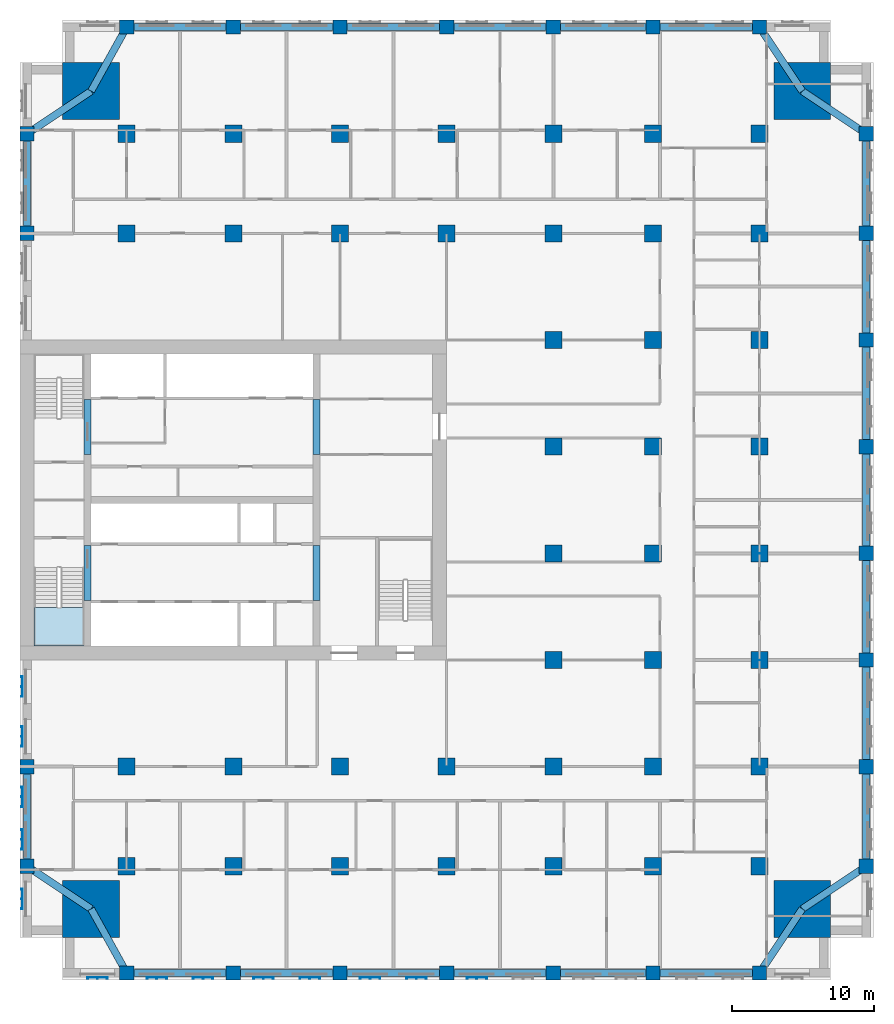
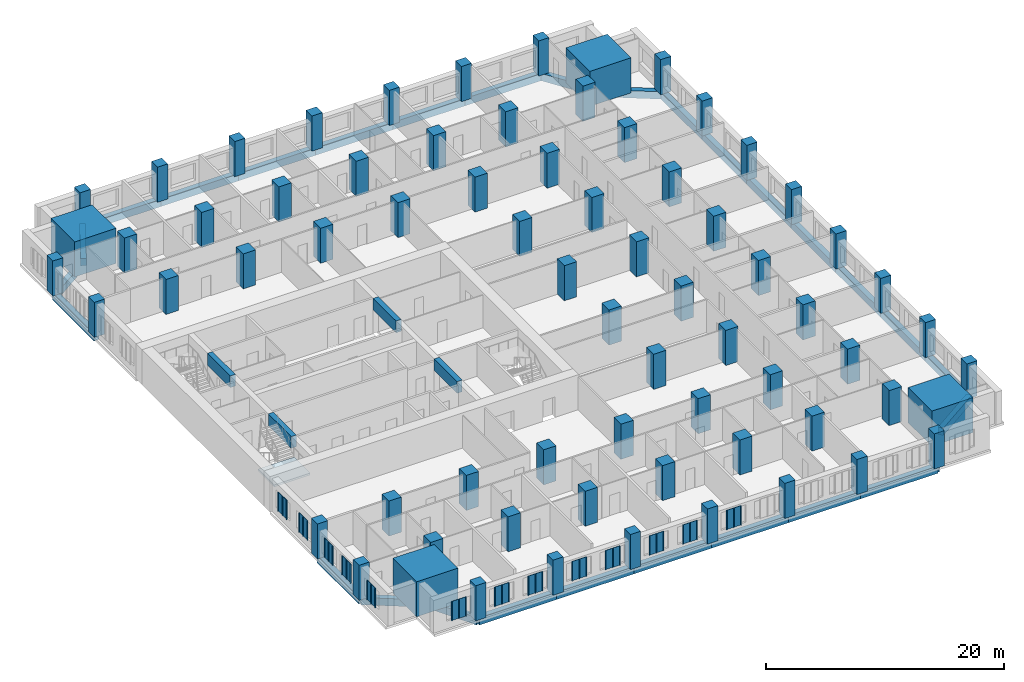
# One storey, part 1 of 14: 70 columns, 33 beams, 13 plates, 1 slab, 1 element without a shape of its own.
"""IFC4 building model written with IfcOpenShell, lengths in metres."""

from ifc_helpers import new_model, si_unit, direction, frame, origin, origin_2d, place, context, subcontext, project, spatial, polyline, rectangle, outline, extrude, material, layer, layer_set, material_profile, profile_set, type_object, element, aggregate, save


model = new_model("IFC4")

# Units and contexts
model_context = context("Model", 3, precision=1e-05, world=origin(), true_north=direction((0.0, 1.0)))
body_context = subcontext(model_context, "Body", "Model", "MODEL_VIEW")
ifc_project = project(units=[si_unit("LENGTHUNIT", "METRE"), si_unit("AREAUNIT", "SQUARE_METRE"), si_unit("VOLUMEUNIT", "CUBIC_METRE"), si_unit("PLANEANGLEUNIT", "RADIAN"), si_unit("MASSUNIT", "GRAM", prefix="KILO")], contexts=[model_context])

# Site, building, storey
site_placement = place(None, origin())
site = spatial("IfcSite", under=ifc_project, at=site_placement, CompositionType="ELEMENT")
building_placement = place(site_placement, origin())
building = spatial("IfcBuilding", under=site, at=building_placement, Name="Tamorin Gate", CompositionType="ELEMENT")
storey_placement = place(building_placement, frame((0.0, 0.0, 37.60009765625)))
storey = spatial("IfcBuildingStorey", under=building, at=storey_placement, Name="L07", CompositionType="ELEMENT", Elevation=37.60009765625)

# Columns
ifc_material_1 = material(Name="Concrete C80/95", Category="concrete")
ifc_material_profile_1 = material_profile(ifc_material_1, rectangle(XDim=1.0, YDim=1.0, at=origin_2d()), Name="RC 1000x1000")
ifc_profile_set_1 = profile_set([ifc_material_profile_1], Name="Concrete C80/95")
column_type_1 = type_object("IfcColumnType", Name="RC column 1000x1000 C80/95", PredefinedType="COLUMN", material=ifc_profile_set_1)
for number, where, z_axis, x_axis, name in (
    (1, (30.5, 45.5, 0.0), (0.0, 0.0, 1.0), (1.0, 0.0, 0.0), "Ring column L07"),
    (2, (30.5, 52.5, 0.0), (0.0, 0.0, 1.0), (1.0, 0.0, 0.0), "Ring column L07"),
    (3, (30.5, 90.0, 0.0), (0.0, 0.0, 1.0), (1.0, 0.0, 0.0), "Ring column L07"),
    (4, (30.5, 97.0, 0.0), (0.0, 0.0, 1.0), (1.0, 0.0, 0.0), "Ring column L07"),
    (5, (37.5, 38.0, 0.0), (0.0, 0.0, 1.0), (1.0, 0.0, 0.0), "Ring column L07"),
    (6, (37.5, 104.5, 0.0), (0.0, 0.0, 1.0), (1.0, 0.0, 0.0), "Ring column L07"),
    (7, (45.0, 38.0, 0.0), (0.0, 0.0, 1.0), (1.0, 0.0, 0.0), "Ring column L07"),
    (8, (45.0, 104.5, 0.0), (0.0, 0.0, 1.0), (1.0, 0.0, 0.0), "Ring column L07"),
    (9, (52.5, 38.0, 0.0), (0.0, 0.0, 1.0), (1.0, 0.0, 0.0), "Ring column L07"),
    (10, (52.5, 104.5, 0.0), (0.0, 0.0, 1.0), (1.0, 0.0, 0.0), "Ring column L07"),
    (11, (60.0, 38.0, 0.0), (0.0, 0.0, 1.0), (1.0, 0.0, 0.0), "Ring column L07"),
    (12, (60.0, 104.5, 0.0), (0.0, 0.0, 1.0), (1.0, 0.0, 0.0), "Ring column L07"),
    (13, (67.5, 38.0, 0.0), (0.0, 0.0, 1.0), (1.0, 0.0, 0.0), "Ring column L07"),
    (14, (67.5, 104.5, 0.0), (0.0, 0.0, 1.0), (1.0, 0.0, 0.0), "Ring column L07"),
    (15, (74.5, 38.0, 0.0), (0.0, 0.0, 1.0), (1.0, 0.0, 0.0), "Ring column L07"),
    (16, (74.5, 104.5, 0.0), (0.0, 0.0, 1.0), (1.0, 0.0, 0.0), "Ring column L07"),
    (17, (82.0, 38.0, 0.0), (0.0, 0.0, 1.0), (1.0, 0.0, 0.0), "Ring column L07"),
    (18, (82.0, 104.5, 0.0), (0.0, 0.0, 1.0), (1.0, 0.0, 0.0), "Ring column L07"),
    (19, (89.5, 45.5, 0.0), (0.0, 0.0, 1.0), (1.0, 0.0, 0.0), "Ring column L07"),
    (20, (89.5, 52.5, 0.0), (0.0, 0.0, 1.0), (1.0, 0.0, 0.0), "Ring column L07"),
    (21, (89.5, 60.0, 0.0), (0.0, 0.0, 1.0), (1.0, 0.0, 0.0), "Ring column L07"),
    (22, (89.5, 67.5, 0.0), (0.0, 0.0, 1.0), (1.0, 0.0, 0.0), "Ring column L07"),
    (23, (89.5, 75.0, 0.0), (0.0, 0.0, 1.0), (1.0, 0.0, 0.0), "Ring column L07"),
    (24, (89.5, 82.5, 0.0), (0.0, 0.0, 1.0), (1.0, 0.0, 0.0), "Ring column L07"),
    (25, (89.5, 90.0, 0.0), (0.0, 0.0, 1.0), (1.0, 0.0, 0.0), "Ring column L07"),
    (26, (89.5, 97.0, 0.0), (0.0, 0.0, 1.0), (1.0, 0.0, 0.0), "Ring column L07"),
):
    element("IfcColumn", number, at=place(storey_placement, frame(where, z_axis=z_axis, x_axis=x_axis)), inside=storey, type_object=column_type_1, Name=name, PredefinedType="COLUMN", context=body_context, shape_type="SweptSolid", body=[
        extrude(rectangle(XDim=1.0, YDim=1.0, at=origin_2d()), origin(), (0.0, 0.0, 1.0), 3.599853515625),
    ])
ifc_material_profile_2 = material_profile(ifc_material_1, rectangle(XDim=1.199951171875, YDim=1.199951171875, at=origin_2d()), Name="RC 1200x1200")
ifc_profile_set_2 = profile_set([ifc_material_profile_2], Name="Concrete C80/95")
column_type_2 = type_object("IfcColumnType", Name="RC column 1200x1200 C80/95", PredefinedType="COLUMN", material=ifc_profile_set_2)
for number, where, z_axis, x_axis, name in (
    (27, (37.5, 45.5, 0.0), (0.0, 0.0, 1.0), (1.0, 0.0, 0.0), "Interior column L07"),
    (28, (37.5, 52.5, 0.0), (0.0, 0.0, 1.0), (1.0, 0.0, 0.0), "Interior column L07"),
    (29, (37.5, 90.0, 0.0), (0.0, 0.0, 1.0), (1.0, 0.0, 0.0), "Interior column L07"),
    (30, (37.5, 97.0, 0.0), (0.0, 0.0, 1.0), (1.0, 0.0, 0.0), "Interior column L07"),
    (31, (45.0, 45.5, 0.0), (0.0, 0.0, 1.0), (1.0, 0.0, 0.0), "Interior column L07"),
    (32, (45.0, 52.5, 0.0), (0.0, 0.0, 1.0), (1.0, 0.0, 0.0), "Interior column L07"),
    (33, (45.0, 90.0, 0.0), (0.0, 0.0, 1.0), (1.0, 0.0, 0.0), "Interior column L07"),
    (34, (45.0, 97.0, 0.0), (0.0, 0.0, 1.0), (1.0, 0.0, 0.0), "Interior column L07"),
    (35, (52.5, 45.5, 0.0), (0.0, 0.0, 1.0), (1.0, 0.0, 0.0), "Interior column L07"),
    (36, (52.5, 52.5, 0.0), (0.0, 0.0, 1.0), (1.0, 0.0, 0.0), "Interior column L07"),
    (37, (52.5, 90.0, 0.0), (0.0, 0.0, 1.0), (1.0, 0.0, 0.0), "Interior column L07"),
    (38, (52.5, 97.0, 0.0), (0.0, 0.0, 1.0), (1.0, 0.0, 0.0), "Interior column L07"),
    (39, (60.0, 45.5, 0.0), (0.0, 0.0, 1.0), (1.0, 0.0, 0.0), "Interior column L07"),
    (40, (60.0, 52.5, 0.0), (0.0, 0.0, 1.0), (1.0, 0.0, 0.0), "Interior column L07"),
    (41, (60.0, 90.0, 0.0), (0.0, 0.0, 1.0), (1.0, 0.0, 0.0), "Interior column L07"),
    (42, (60.0, 97.0, 0.0), (0.0, 0.0, 1.0), (1.0, 0.0, 0.0), "Interior column L07"),
    (43, (67.5, 45.5, 0.0), (0.0, 0.0, 1.0), (1.0, 0.0, 0.0), "Interior column L07"),
    (44, (67.5, 52.5, 0.0), (0.0, 0.0, 1.0), (1.0, 0.0, 0.0), "Interior column L07"),
    (45, (67.5, 60.0, 0.0), (0.0, 0.0, 1.0), (1.0, 0.0, 0.0), "Interior column L07"),
    (46, (67.5, 67.5, 0.0), (0.0, 0.0, 1.0), (1.0, 0.0, 0.0), "Interior column L07"),
    (47, (67.5, 75.0, 0.0), (0.0, 0.0, 1.0), (1.0, 0.0, 0.0), "Interior column L07"),
    (48, (67.5, 82.5, 0.0), (0.0, 0.0, 1.0), (1.0, 0.0, 0.0), "Interior column L07"),
    (49, (67.5, 90.0, 0.0), (0.0, 0.0, 1.0), (1.0, 0.0, 0.0), "Interior column L07"),
    (50, (67.5, 97.0, 0.0), (0.0, 0.0, 1.0), (1.0, 0.0, 0.0), "Interior column L07"),
    (51, (74.5, 45.5, 0.0), (0.0, 0.0, 1.0), (1.0, 0.0, 0.0), "Interior column L07"),
    (52, (74.5, 52.5, 0.0), (0.0, 0.0, 1.0), (1.0, 0.0, 0.0), "Interior column L07"),
    (53, (74.5, 60.0, 0.0), (0.0, 0.0, 1.0), (1.0, 0.0, 0.0), "Interior column L07"),
    (54, (74.5, 67.5, 0.0), (0.0, 0.0, 1.0), (1.0, 0.0, 0.0), "Interior column L07"),
    (55, (74.5, 75.0, 0.0), (0.0, 0.0, 1.0), (1.0, 0.0, 0.0), "Interior column L07"),
    (56, (74.5, 82.5, 0.0), (0.0, 0.0, 1.0), (1.0, 0.0, 0.0), "Interior column L07"),
    (57, (74.5, 90.0, 0.0), (0.0, 0.0, 1.0), (1.0, 0.0, 0.0), "Interior column L07"),
    (58, (74.5, 97.0, 0.0), (0.0, 0.0, 1.0), (1.0, 0.0, 0.0), "Interior column L07"),
    (59, (82.0, 45.5, 0.0), (0.0, 0.0, 1.0), (1.0, 0.0, 0.0), "Interior column L07"),
    (60, (82.0, 52.5, 0.0), (0.0, 0.0, 1.0), (1.0, 0.0, 0.0), "Interior column L07"),
    (61, (82.0, 60.0, 0.0), (0.0, 0.0, 1.0), (1.0, 0.0, 0.0), "Interior column L07"),
    (62, (82.0, 67.5, 0.0), (0.0, 0.0, 1.0), (1.0, 0.0, 0.0), "Interior column L07"),
    (63, (82.0, 75.0, 0.0), (0.0, 0.0, 1.0), (1.0, 0.0, 0.0), "Interior column L07"),
    (64, (82.0, 82.5, 0.0), (0.0, 0.0, 1.0), (1.0, 0.0, 0.0), "Interior column L07"),
    (65, (82.0, 90.0, 0.0), (0.0, 0.0, 1.0), (1.0, 0.0, 0.0), "Interior column L07"),
    (66, (82.0, 97.0, 0.0), (0.0, 0.0, 1.0), (1.0, 0.0, 0.0), "Interior column L07"),
):
    element("IfcColumn", number, at=place(storey_placement, frame(where, z_axis=z_axis, x_axis=x_axis)), inside=storey, type_object=column_type_2, Name=name, PredefinedType="COLUMN", context=body_context, shape_type="SweptSolid", body=[
        extrude(rectangle(XDim=1.199951171875, YDim=1.199951171875, at=origin_2d()), origin(), (0.0, 0.0, 1.0), 3.599853515625),
    ])
ifc_material_profile_3 = material_profile(ifc_material_1, rectangle(XDim=4.0, YDim=4.0, at=origin_2d()), Name="RC 4000x4000")
ifc_profile_set_3 = profile_set([ifc_material_profile_3], Name="Concrete C80/95")
column_type_3 = type_object("IfcColumnType", Name="RC column 4000x4000 C80/95", PredefinedType="COLUMN", material=ifc_profile_set_3)
for number, where, z_axis, x_axis, name in (
    (67, (35.0, 42.5, 0.0), (0.0, 0.0, 1.0), (1.0, 0.0, 0.0), "Mega column SW L07"),
    (68, (85.0, 42.5, 0.0), (0.0, 0.0, 1.0), (1.0, 0.0, 0.0), "Mega column SE L07"),
    (69, (35.0, 100.0, 0.0), (0.0, 0.0, 1.0), (1.0, 0.0, 0.0), "Mega column NW L07"),
    (70, (85.0, 100.0, 0.0), (0.0, 0.0, 1.0), (1.0, 0.0, 0.0), "Mega column NE L07"),
):
    element("IfcColumn", number, at=place(storey_placement, frame(where, z_axis=z_axis, x_axis=x_axis)), inside=storey, type_object=column_type_3, Name=name, PredefinedType="COLUMN", context=body_context, shape_type="SweptSolid", body=[
        extrude(rectangle(XDim=4.0, YDim=4.0, at=origin_2d()), origin(), (0.0, 0.0, 1.0), 3.599853515625),
    ])

# Beams
ifc_material_profile_4 = material_profile(ifc_material_1, rectangle(XDim=0.5, YDim=1.199951171875, at=origin_2d()), Name="RC 500x1200")
ifc_profile_set_4 = profile_set([ifc_material_profile_4], Name="Concrete C80/95")
beam_type_1 = type_object("IfcBeamType", Name="RC coupling beam 500x1200 C80/95", PredefinedType="BEAM", material=ifc_profile_set_4)
for number, where, z_axis, x_axis, name in (
    (71, (34.75, 64.199951171875, 3.0), (0.0, 1.0, 0.0), (-1.0, 0.0, 0.0), "Coupling beam L07"),
    (72, (34.75, 74.449951171875, 3.0), (0.0, 1.0, 0.0), (-1.0, 0.0, 0.0), "Coupling beam L07"),
    (73, (50.85009765625, 64.199951171875, 3.0), (0.0, 1.0, 0.0), (-1.0, 0.0, 0.0), "Coupling beam L07"),
    (74, (50.85009765625, 74.449951171875, 3.0), (0.0, 1.0, 0.0), (-1.0, 0.0, 0.0), "Coupling beam L07"),
):
    element("IfcBeam", number, at=place(storey_placement, frame(where, z_axis=z_axis, x_axis=x_axis)), inside=storey, type_object=beam_type_1, Name=name, PredefinedType="BEAM", context=body_context, shape_type="SweptSolid", body=[
        extrude(rectangle(XDim=0.5, YDim=1.199951171875, at=origin_2d()), origin(), (0.0, 0.0, 1.0), 3.85009765625),
    ])
ifc_material_2 = material(Name="Concrete C50/60", Category="concrete")
ifc_material_profile_5 = material_profile(ifc_material_2, rectangle(XDim=0.5, YDim=0.75, at=origin_2d()), Name="RC 500x750")
ifc_profile_set_5 = profile_set([ifc_material_profile_5], Name="Concrete C50/60")
beam_type_2 = type_object("IfcBeamType", Name="RC spandrel 500x750 C50/60", PredefinedType="BEAM", material=ifc_profile_set_5)
for number, where, z_axis, x_axis, name in (
    (75, (37.5, 38.0, -0.375), (1.0, 0.0, 0.0), (0.0, 1.0, 0.0), "Spandrel beam L07"),
    (76, (45.0, 38.0, -0.375), (1.0, 0.0, 0.0), (0.0, 1.0, 0.0), "Spandrel beam L07"),
    (77, (52.5, 38.0, -0.375), (1.0, 0.0, 0.0), (0.0, 1.0, 0.0), "Spandrel beam L07"),
    (78, (60.0, 38.0, -0.375), (1.0, 0.0, 0.0), (0.0, 1.0, 0.0), "Spandrel beam L07"),
):
    element("IfcBeam", number, at=place(storey_placement, frame(where, z_axis=z_axis, x_axis=x_axis)), inside=storey, type_object=beam_type_2, Name=name, PredefinedType="BEAM", context=body_context, shape_type="SweptSolid", body=[
        extrude(rectangle(XDim=0.5, YDim=0.75, at=origin_2d()), origin(), (0.0, 0.0, 1.0), 7.5),
    ])
beam_1_placement = place(storey_placement, frame((67.5, 38.0, -0.375), z_axis=(1.0, 0.0, 0.0), x_axis=(0.0, 1.0, 0.0)))
element("IfcBeam", 79, at=beam_1_placement, inside=storey, type_object=beam_type_2, Name="Spandrel beam L07", PredefinedType="BEAM", context=body_context, shape_type="SweptSolid", body=[
    extrude(rectangle(XDim=0.5, YDim=0.75, at=origin_2d()), origin(), (0.0, 0.0, 1.0), 7.0),
])
beam_2_placement = place(storey_placement, frame((74.5, 38.0, -0.375), z_axis=(1.0, 0.0, 0.0), x_axis=(0.0, 1.0, 0.0)))
element("IfcBeam", 80, at=beam_2_placement, inside=storey, type_object=beam_type_2, Name="Spandrel beam L07", PredefinedType="BEAM", context=body_context, shape_type="SweptSolid", body=[
    extrude(rectangle(XDim=0.5, YDim=0.75, at=origin_2d()), origin(), (0.0, 0.0, 1.0), 7.5),
])
beam_3_placement = place(storey_placement, frame((89.5, 45.5, -0.375), z_axis=(0.0, 1.0, 0.0), x_axis=(-1.0, 0.0, 0.0)))
element("IfcBeam", 81, at=beam_3_placement, inside=storey, type_object=beam_type_2, Name="Spandrel beam L07", PredefinedType="BEAM", context=body_context, shape_type="SweptSolid", body=[
    extrude(rectangle(XDim=0.5, YDim=0.75, at=origin_2d()), origin(), (0.0, 0.0, 1.0), 7.0),
])
for number, where, z_axis, x_axis, name in (
    (82, (89.5, 52.5, -0.375), (0.0, 1.0, 0.0), (-1.0, 0.0, 0.0), "Spandrel beam L07"),
    (83, (89.5, 60.0, -0.375), (0.0, 1.0, 0.0), (-1.0, 0.0, 0.0), "Spandrel beam L07"),
    (84, (89.5, 67.5, -0.375), (0.0, 1.0, 0.0), (-1.0, 0.0, 0.0), "Spandrel beam L07"),
    (85, (89.5, 75.0, -0.375), (0.0, 1.0, 0.0), (-1.0, 0.0, 0.0), "Spandrel beam L07"),
    (86, (89.5, 82.5, -0.375), (0.0, 1.0, 0.0), (-1.0, 0.0, 0.0), "Spandrel beam L07"),
):
    element("IfcBeam", number, at=place(storey_placement, frame(where, z_axis=z_axis, x_axis=x_axis)), inside=storey, type_object=beam_type_2, Name=name, PredefinedType="BEAM", context=body_context, shape_type="SweptSolid", body=[
        extrude(rectangle(XDim=0.5, YDim=0.75, at=origin_2d()), origin(), (0.0, 0.0, 1.0), 7.5),
    ])
beam_4_placement = place(storey_placement, frame((89.5, 90.0, -0.375), z_axis=(0.0, 1.0, 0.0), x_axis=(-1.0, 0.0, 0.0)))
element("IfcBeam", 87, at=beam_4_placement, inside=storey, type_object=beam_type_2, Name="Spandrel beam L07", PredefinedType="BEAM", context=body_context, shape_type="SweptSolid", body=[
    extrude(rectangle(XDim=0.5, YDim=0.75, at=origin_2d()), origin(), (0.0, 0.0, 1.0), 7.0),
])
beam_5_placement = place(storey_placement, frame((82.0, 104.5, -0.375), z_axis=(-1.0, 0.0, 0.0), x_axis=(0.0, -1.0, 0.0)))
element("IfcBeam", 88, at=beam_5_placement, inside=storey, type_object=beam_type_2, Name="Spandrel beam L07", PredefinedType="BEAM", context=body_context, shape_type="SweptSolid", body=[
    extrude(rectangle(XDim=0.5, YDim=0.75, at=origin_2d()), origin(), (0.0, 0.0, 1.0), 7.5),
])
beam_6_placement = place(storey_placement, frame((74.5, 104.5, -0.375), z_axis=(-1.0, 0.0, 0.0), x_axis=(0.0, -1.0, 0.0)))
element("IfcBeam", 89, at=beam_6_placement, inside=storey, type_object=beam_type_2, Name="Spandrel beam L07", PredefinedType="BEAM", context=body_context, shape_type="SweptSolid", body=[
    extrude(rectangle(XDim=0.5, YDim=0.75, at=origin_2d()), origin(), (0.0, 0.0, 1.0), 7.0),
])
for number, where, z_axis, x_axis, name in (
    (90, (67.5, 104.5, -0.375), (-1.0, 0.0, 0.0), (0.0, -1.0, 0.0), "Spandrel beam L07"),
    (91, (60.0, 104.5, -0.375), (-1.0, 0.0, 0.0), (0.0, -1.0, 0.0), "Spandrel beam L07"),
    (92, (52.5, 104.5, -0.375), (-1.0, 0.0, 0.0), (0.0, -1.0, 0.0), "Spandrel beam L07"),
    (93, (45.0, 104.5, -0.375), (-1.0, 0.0, 0.0), (0.0, -1.0, 0.0), "Spandrel beam L07"),
):
    element("IfcBeam", number, at=place(storey_placement, frame(where, z_axis=z_axis, x_axis=x_axis)), inside=storey, type_object=beam_type_2, Name=name, PredefinedType="BEAM", context=body_context, shape_type="SweptSolid", body=[
        extrude(rectangle(XDim=0.5, YDim=0.75, at=origin_2d()), origin(), (0.0, 0.0, 1.0), 7.5),
    ])
for number, where, z_axis, x_axis, name in (
    (94, (30.5, 97.0, -0.375), (0.0, -1.0, 0.0), (1.0, 0.0, 0.0), "Spandrel beam L07"),
    (95, (30.5, 52.5, -0.375), (0.0, -1.0, 0.0), (1.0, 0.0, 0.0), "Spandrel beam L07"),
):
    element("IfcBeam", number, at=place(storey_placement, frame(where, z_axis=z_axis, x_axis=x_axis)), inside=storey, type_object=beam_type_2, Name=name, PredefinedType="BEAM", context=body_context, shape_type="SweptSolid", body=[
        extrude(rectangle(XDim=0.5, YDim=0.75, at=origin_2d()), origin(), (0.0, 0.0, 1.0), 7.0),
    ])
beam_7_placement = place(storey_placement, frame((35.0, 42.5, -0.375), z_axis=(0.485642931179, -0.874157276122, 0.0), x_axis=(0.874157276122, 0.485642931179, 0.0)))
element("IfcBeam", 96, at=beam_7_placement, inside=storey, type_object=beam_type_2, Name="Corner tie beam L07", PredefinedType="BEAM", context=body_context, shape_type="SweptSolid", body=[
    extrude(rectangle(XDim=0.5, YDim=0.75, at=origin_2d()), origin(), (0.0, 0.0, 1.0), 5.147705078125),
])
for number, where, z_axis, x_axis, name in (
    (97, (35.0, 42.5, -0.375), (-0.832050294338, 0.554700196225, 0.0), (-0.554700196225, -0.832050294338, 0.0), "Corner tie beam L07"),
    (98, (85.0, 42.5, -0.375), (-0.554700196225, -0.832050294338, 0.0), (0.832050294338, -0.554700196225, 0.0), "Corner tie beam L07"),
    (99, (85.0, 42.5, -0.375), (0.832050294338, 0.554700196225, 0.0), (-0.554700196225, 0.832050294338, 0.0), "Corner tie beam L07"),
):
    element("IfcBeam", number, at=place(storey_placement, frame(where, z_axis=z_axis, x_axis=x_axis)), inside=storey, type_object=beam_type_2, Name=name, PredefinedType="BEAM", context=body_context, shape_type="SweptSolid", body=[
        extrude(rectangle(XDim=0.5, YDim=0.75, at=origin_2d()), origin(), (0.0, 0.0, 1.0), 5.408447265625),
    ])
beam_8_placement = place(storey_placement, frame((35.0, 100.0, -0.375), z_axis=(0.485642931179, 0.874157276122, 0.0), x_axis=(-0.874157276122, 0.485642931179, 0.0)))
element("IfcBeam", 100, at=beam_8_placement, inside=storey, type_object=beam_type_2, Name="Corner tie beam L07", PredefinedType="BEAM", context=body_context, shape_type="SweptSolid", body=[
    extrude(rectangle(XDim=0.5, YDim=0.75, at=origin_2d()), origin(), (0.0, 0.0, 1.0), 5.147705078125),
])
for number, where, z_axis, x_axis, name in (
    (101, (35.0, 100.0, -0.375), (-0.832050294338, -0.554700196225, 0.0), (0.554700196225, -0.832050294338, 0.0), "Corner tie beam L07"),
    (102, (85.0, 100.0, -0.375), (-0.554700196225, 0.832050294338, 0.0), (-0.832050294338, -0.554700196225, 0.0), "Corner tie beam L07"),
    (103, (85.0, 100.0, -0.375), (0.832050294338, -0.554700196225, 0.0), (0.554700196225, 0.832050294338, 0.0), "Corner tie beam L07"),
):
    element("IfcBeam", number, at=place(storey_placement, frame(where, z_axis=z_axis, x_axis=x_axis)), inside=storey, type_object=beam_type_2, Name=name, PredefinedType="BEAM", context=body_context, shape_type="SweptSolid", body=[
        extrude(rectangle(XDim=0.5, YDim=0.75, at=origin_2d()), origin(), (0.0, 0.0, 1.0), 5.408447265625),
    ])

# Stair, slab
ifc_material_3 = material(Name="Concrete C40/50", Category="concrete")
stair_type = type_object("IfcStairType", Name="Exit stair", PredefinedType="HALF_TURN_STAIR", material=ifc_material_3)
stair_placement = place(storey_placement, origin())
stair = element("IfcStair", 104, at=stair_placement, inside=storey, type_object=stair_type, Name="L07 stair ST1", PredefinedType="HALF_TURN_STAIR")
ifc_layer_1 = layer(ifc_material_3, 0.199951171875)
ifc_layer_set_1 = layer_set([ifc_layer_1], Name="Exit stair landing 200")
slab_type = type_object("IfcSlabType", Name="Exit stair landing 200", PredefinedType="LANDING", material=ifc_layer_set_1)
slab_placement = place(storey_placement, frame((0.0, 0.0, 1.599853515625)))
slab = element("IfcSlab", 105, at=slab_placement, type_object=slab_type, Name="ST1 landing 1", PredefinedType="LANDING", context=body_context, shape_type="SweptSolid", body=[
    extrude(outline(polyline([(31.0, 63.699951171875), (31.0, 61.0), (34.5, 61.0), (34.5, 63.699951171875), (31.0, 63.699951171875)])), origin(), (0.0, 0.0, 1.0), 0.199951171875),
])
aggregate(stair, [slab])

# Plates
ifc_material_4 = material(Name="Perforated pale aluminium sheet", Category="aluminium")
ifc_layer_2 = layer(ifc_material_4, 0.0400390625)
ifc_layer_set_2 = layer_set([ifc_layer_2], Name="Pale metal solar screen 1440")
plate_type = type_object("IfcPlateType", Name="Pale metal solar screen 1440", PredefinedType="SHEET", material=ifc_layer_set_2)
plate_1_placement = place(storey_placement, frame((0.0, 0.0, 0.7099609375)))
element("IfcPlate", 106, at=plate_1_placement, inside=storey, type_object=plate_type, Name="Perforated solar screen", PredefinedType="SHEET", context=body_context, shape_type="SweptSolid", body=[
    extrude(outline(polyline([(34.72998046875, 37.659912109375), (34.72998046875, 37.699951171875), (34.7900390625, 37.699951171875), (35.419921875, 37.699951171875), (35.47998046875, 37.699951171875), (36.110107421875, 37.699951171875), (36.169921875, 37.699951171875), (36.169921875, 37.659912109375), (36.169921875, 37.60009765625), (36.110107421875, 37.60009765625), (36.110107421875, 37.659912109375), (35.47998046875, 37.659912109375), (35.47998046875, 37.60009765625), (35.419921875, 37.60009765625), (35.419921875, 37.659912109375), (34.7900390625, 37.659912109375), (34.7900390625, 37.60009765625), (34.72998046875, 37.60009765625), (34.72998046875, 37.659912109375)])), origin(), (0.0, 0.0, 1.0), 1.97998046875),
])
plate_2_placement = place(storey_placement, frame((0.0, 0.0, 0.7099609375)))
element("IfcPlate", 107, at=plate_2_placement, inside=storey, type_object=plate_type, Name="Perforated solar screen", PredefinedType="SHEET", context=body_context, shape_type="SweptSolid", body=[
    extrude(outline(polyline([(38.905029296875, 37.659912109375), (38.905029296875, 37.699951171875), (38.965087890625, 37.699951171875), (39.594970703125, 37.699951171875), (39.655029296875, 37.699951171875), (40.284912109375, 37.699951171875), (40.344970703125, 37.699951171875), (40.344970703125, 37.699951171875), (40.344970703125, 37.659912109375), (40.344970703125, 37.659912109375), (40.344970703125, 37.60009765625), (40.284912109375, 37.60009765625), (40.284912109375, 37.659912109375), (39.655029296875, 37.659912109375), (39.655029296875, 37.60009765625), (39.594970703125, 37.60009765625), (39.594970703125, 37.659912109375), (38.965087890625, 37.659912109375), (38.965087890625, 37.60009765625), (38.905029296875, 37.60009765625), (38.905029296875, 37.659912109375)])), origin(), (0.0, 0.0, 1.0), 1.97998046875),
])
plate_3_placement = place(storey_placement, frame((0.0, 0.0, 0.7099609375)))
element("IfcPlate", 108, at=plate_3_placement, inside=storey, type_object=plate_type, Name="Perforated solar screen", PredefinedType="SHEET", context=body_context, shape_type="SweptSolid", body=[
    extrude(outline(polyline([(42.155029296875, 37.659912109375), (42.155029296875, 37.699951171875), (42.215087890625, 37.699951171875), (42.844970703125, 37.699951171875), (42.905029296875, 37.699951171875), (43.534912109375, 37.699951171875), (43.594970703125, 37.699951171875), (43.594970703125, 37.659912109375), (43.594970703125, 37.60009765625), (43.534912109375, 37.60009765625), (43.534912109375, 37.659912109375), (42.905029296875, 37.659912109375), (42.905029296875, 37.60009765625), (42.844970703125, 37.60009765625), (42.844970703125, 37.659912109375), (42.215087890625, 37.659912109375), (42.215087890625, 37.60009765625), (42.155029296875, 37.60009765625), (42.155029296875, 37.659912109375)])), origin(), (0.0, 0.0, 1.0), 1.97998046875),
])
plate_4_placement = place(storey_placement, frame((0.0, 0.0, 0.7099609375)))
element("IfcPlate", 109, at=plate_4_placement, inside=storey, type_object=plate_type, Name="Perforated solar screen", PredefinedType="SHEET", context=body_context, shape_type="SweptSolid", body=[
    extrude(outline(polyline([(46.405029296875, 37.659912109375), (46.405029296875, 37.699951171875), (46.465087890625, 37.699951171875), (47.094970703125, 37.699951171875), (47.155029296875, 37.699951171875), (47.784912109375, 37.699951171875), (47.844970703125, 37.699951171875), (47.844970703125, 37.659912109375), (47.844970703125, 37.60009765625), (47.784912109375, 37.60009765625), (47.784912109375, 37.659912109375), (47.155029296875, 37.659912109375), (47.155029296875, 37.60009765625), (47.094970703125, 37.60009765625), (47.094970703125, 37.659912109375), (46.465087890625, 37.659912109375), (46.465087890625, 37.60009765625), (46.405029296875, 37.60009765625), (46.405029296875, 37.659912109375)])), origin(), (0.0, 0.0, 1.0), 1.97998046875),
])
plate_5_placement = place(storey_placement, frame((0.0, 0.0, 0.7099609375)))
element("IfcPlate", 110, at=plate_5_placement, inside=storey, type_object=plate_type, Name="Perforated solar screen", PredefinedType="SHEET", context=body_context, shape_type="SweptSolid", body=[
    extrude(outline(polyline([(49.655029296875, 37.659912109375), (49.655029296875, 37.699951171875), (49.715087890625, 37.699951171875), (50.344970703125, 37.699951171875), (50.405029296875, 37.699951171875), (51.034912109375, 37.699951171875), (51.094970703125, 37.699951171875), (51.094970703125, 37.659912109375), (51.094970703125, 37.60009765625), (51.034912109375, 37.60009765625), (51.034912109375, 37.659912109375), (50.405029296875, 37.659912109375), (50.405029296875, 37.60009765625), (50.344970703125, 37.60009765625), (50.344970703125, 37.659912109375), (49.715087890625, 37.659912109375), (49.715087890625, 37.60009765625), (49.655029296875, 37.60009765625), (49.655029296875, 37.659912109375)])), origin(), (0.0, 0.0, 1.0), 1.97998046875),
])
plate_6_placement = place(storey_placement, frame((0.0, 0.0, 0.7099609375)))
element("IfcPlate", 111, at=plate_6_placement, inside=storey, type_object=plate_type, Name="Perforated solar screen", PredefinedType="SHEET", context=body_context, shape_type="SweptSolid", body=[
    extrude(outline(polyline([(53.905029296875, 37.659912109375), (53.905029296875, 37.699951171875), (53.965087890625, 37.699951171875), (54.594970703125, 37.699951171875), (54.655029296875, 37.699951171875), (55.284912109375, 37.699951171875), (55.344970703125, 37.699951171875), (55.344970703125, 37.659912109375), (55.344970703125, 37.60009765625), (55.284912109375, 37.60009765625), (55.284912109375, 37.659912109375), (54.655029296875, 37.659912109375), (54.655029296875, 37.60009765625), (54.594970703125, 37.60009765625), (54.594970703125, 37.659912109375), (53.965087890625, 37.659912109375), (53.965087890625, 37.60009765625), (53.905029296875, 37.60009765625), (53.905029296875, 37.659912109375)])), origin(), (0.0, 0.0, 1.0), 1.97998046875),
])
plate_7_placement = place(storey_placement, frame((0.0, 0.0, 0.7099609375)))
element("IfcPlate", 112, at=plate_7_placement, inside=storey, type_object=plate_type, Name="Perforated solar screen", PredefinedType="SHEET", context=body_context, shape_type="SweptSolid", body=[
    extrude(outline(polyline([(57.155029296875, 37.659912109375), (57.155029296875, 37.699951171875), (57.215087890625, 37.699951171875), (57.844970703125, 37.699951171875), (57.905029296875, 37.699951171875), (58.534912109375, 37.699951171875), (58.594970703125, 37.699951171875), (58.594970703125, 37.659912109375), (58.594970703125, 37.60009765625), (58.534912109375, 37.60009765625), (58.534912109375, 37.659912109375), (57.905029296875, 37.659912109375), (57.905029296875, 37.60009765625), (57.844970703125, 37.60009765625), (57.844970703125, 37.659912109375), (57.215087890625, 37.659912109375), (57.215087890625, 37.60009765625), (57.155029296875, 37.60009765625), (57.155029296875, 37.659912109375)])), origin(), (0.0, 0.0, 1.0), 1.97998046875),
])
plate_8_placement = place(storey_placement, frame((0.0, 0.0, 0.7099609375)))
element("IfcPlate", 113, at=plate_8_placement, inside=storey, type_object=plate_type, Name="Perforated solar screen", PredefinedType="SHEET", context=body_context, shape_type="SweptSolid", body=[
    extrude(outline(polyline([(61.405029296875, 37.659912109375), (61.405029296875, 37.699951171875), (61.465087890625, 37.699951171875), (62.094970703125, 37.699951171875), (62.155029296875, 37.699951171875), (62.784912109375, 37.699951171875), (62.844970703125, 37.699951171875), (62.844970703125, 37.659912109375), (62.844970703125, 37.60009765625), (62.784912109375, 37.60009765625), (62.784912109375, 37.659912109375), (62.155029296875, 37.659912109375), (62.155029296875, 37.60009765625), (62.094970703125, 37.60009765625), (62.094970703125, 37.659912109375), (61.465087890625, 37.659912109375), (61.465087890625, 37.60009765625), (61.405029296875, 37.60009765625), (61.405029296875, 37.659912109375)])), origin(), (0.0, 0.0, 1.0), 1.97998046875),
])
plate_9_placement = place(storey_placement, frame((0.0, 0.0, 0.7099609375)))
element("IfcPlate", 114, at=plate_9_placement, inside=storey, type_object=plate_type, Name="Perforated solar screen", PredefinedType="SHEET", context=body_context, shape_type="SweptSolid", body=[
    extrude(outline(polyline([(30.159912109375, 55.344970703125), (30.199951171875, 55.344970703125), (30.199951171875, 55.284912109375), (30.199951171875, 54.655029296875), (30.199951171875, 54.594970703125), (30.199951171875, 53.965087890625), (30.199951171875, 53.905029296875), (30.159912109375, 53.905029296875), (30.10009765625, 53.905029296875), (30.10009765625, 53.965087890625), (30.159912109375, 53.965087890625), (30.159912109375, 54.594970703125), (30.10009765625, 54.594970703125), (30.10009765625, 54.655029296875), (30.159912109375, 54.655029296875), (30.159912109375, 55.284912109375), (30.10009765625, 55.284912109375), (30.10009765625, 55.344970703125), (30.159912109375, 55.344970703125)])), origin(), (0.0, 0.0, 1.0), 1.97998046875),
])
plate_10_placement = place(storey_placement, frame((0.0, 0.0, 0.7099609375)))
element("IfcPlate", 115, at=plate_10_placement, inside=storey, type_object=plate_type, Name="Perforated solar screen", PredefinedType="SHEET", context=body_context, shape_type="SweptSolid", body=[
    extrude(outline(polyline([(30.159912109375, 58.844970703125), (30.199951171875, 58.844970703125), (30.199951171875, 58.784912109375), (30.199951171875, 58.155029296875), (30.199951171875, 58.094970703125), (30.199951171875, 57.465087890625), (30.199951171875, 57.405029296875), (30.159912109375, 57.405029296875), (30.10009765625, 57.405029296875), (30.10009765625, 57.465087890625), (30.159912109375, 57.465087890625), (30.159912109375, 58.094970703125), (30.10009765625, 58.094970703125), (30.10009765625, 58.155029296875), (30.159912109375, 58.155029296875), (30.159912109375, 58.784912109375), (30.10009765625, 58.784912109375), (30.10009765625, 58.844970703125), (30.159912109375, 58.844970703125)])), origin(), (0.0, 0.0, 1.0), 1.97998046875),
])
plate_11_placement = place(storey_placement, frame((0.0, 0.0, 0.7099609375)))
element("IfcPlate", 116, at=plate_11_placement, inside=storey, type_object=plate_type, Name="Perforated solar screen", PredefinedType="SHEET", context=body_context, shape_type="SweptSolid", body=[
    extrude(outline(polyline([(30.159912109375, 48.094970703125), (30.199951171875, 48.094970703125), (30.199951171875, 48.034912109375), (30.199951171875, 47.405029296875), (30.199951171875, 47.344970703125), (30.199951171875, 46.715087890625), (30.199951171875, 46.655029296875), (30.159912109375, 46.655029296875), (30.10009765625, 46.655029296875), (30.10009765625, 46.715087890625), (30.159912109375, 46.715087890625), (30.159912109375, 47.344970703125), (30.10009765625, 47.344970703125), (30.10009765625, 47.405029296875), (30.159912109375, 47.405029296875), (30.159912109375, 48.034912109375), (30.10009765625, 48.034912109375), (30.10009765625, 48.094970703125), (30.159912109375, 48.094970703125)])), origin(), (0.0, 0.0, 1.0), 1.97998046875),
])
plate_12_placement = place(storey_placement, frame((0.0, 0.0, 0.7099609375)))
element("IfcPlate", 117, at=plate_12_placement, inside=storey, type_object=plate_type, Name="Perforated solar screen", PredefinedType="SHEET", context=body_context, shape_type="SweptSolid", body=[
    extrude(outline(polyline([(30.159912109375, 51.094970703125), (30.199951171875, 51.094970703125), (30.199951171875, 51.034912109375), (30.199951171875, 50.405029296875), (30.199951171875, 50.344970703125), (30.199951171875, 49.715087890625), (30.199951171875, 49.655029296875), (30.159912109375, 49.655029296875), (30.10009765625, 49.655029296875), (30.10009765625, 49.715087890625), (30.159912109375, 49.715087890625), (30.159912109375, 50.344970703125), (30.10009765625, 50.344970703125), (30.10009765625, 50.405029296875), (30.159912109375, 50.405029296875), (30.159912109375, 51.034912109375), (30.10009765625, 51.034912109375), (30.10009765625, 51.094970703125), (30.159912109375, 51.094970703125)])), origin(), (0.0, 0.0, 1.0), 1.97998046875),
])
plate_13_placement = place(storey_placement, frame((0.0, 0.0, 0.7099609375)))
element("IfcPlate", 118, at=plate_13_placement, inside=storey, type_object=plate_type, Name="Perforated solar screen", PredefinedType="SHEET", context=body_context, shape_type="SweptSolid", body=[
    extrude(outline(polyline([(30.159912109375, 43.919921875), (30.199951171875, 43.919921875), (30.199951171875, 43.860107421875), (30.199951171875, 43.22998046875), (30.199951171875, 43.169921875), (30.199951171875, 42.5400390625), (30.199951171875, 42.47998046875), (30.159912109375, 42.47998046875), (30.10009765625, 42.47998046875), (30.10009765625, 42.5400390625), (30.159912109375, 42.5400390625), (30.159912109375, 43.169921875), (30.10009765625, 43.169921875), (30.10009765625, 43.22998046875), (30.159912109375, 43.22998046875), (30.159912109375, 43.860107421875), (30.10009765625, 43.860107421875), (30.10009765625, 43.919921875), (30.159912109375, 43.919921875)])), origin(), (0.0, 0.0, 1.0), 1.97998046875),
])

save(model, "model.ifc")
